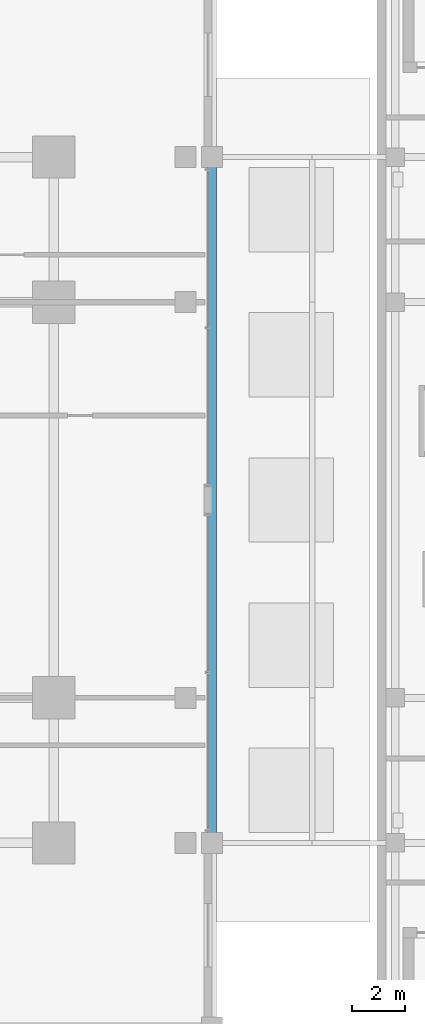
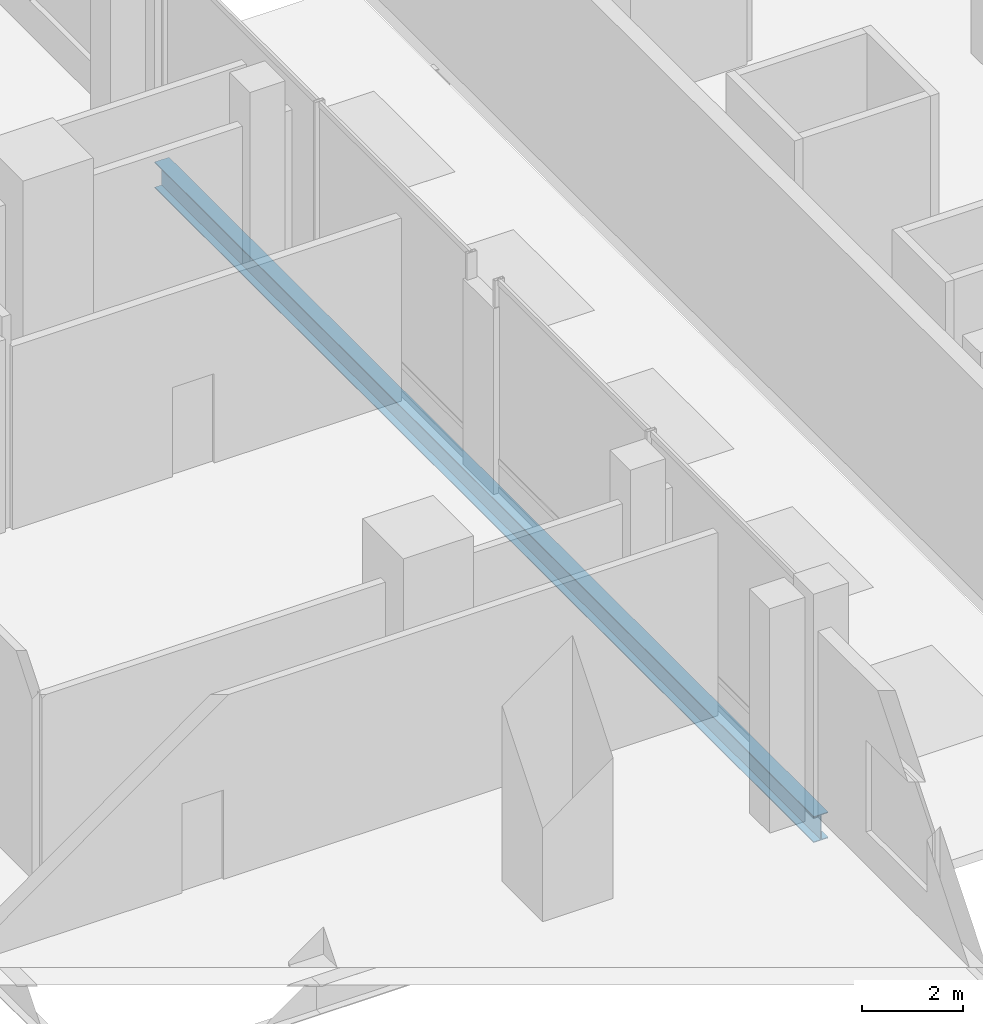
# One storey, part 12 of 36: 1 beam.
"""IFC4 building model written with IfcOpenShell, lengths in metres."""

from ifc_helpers import new_model, si_unit, direction, frame, origin, origin_2d, place, context, subcontext, project, spatial, i_section, extrude, material, material_profile, profile_set, type_object, element, save


model = new_model("IFC4")

# Units and contexts
model_context = context("Model", 3, precision=1e-05, world=origin(), true_north=direction((0.0, 1.0)))
body_context = subcontext(model_context, "Body", "Model", "MODEL_VIEW")
ifc_project = project(units=[si_unit("LENGTHUNIT", "METRE"), si_unit("AREAUNIT", "SQUARE_METRE"), si_unit("VOLUMEUNIT", "CUBIC_METRE"), si_unit("PLANEANGLEUNIT", "RADIAN"), si_unit("MASSUNIT", "GRAM", prefix="KILO")], contexts=[model_context])

# Site, building, storey
site_placement = place(None, origin())
site = spatial("IfcSite", under=ifc_project, at=site_placement, CompositionType="ELEMENT")
building_placement = place(site_placement, origin())
building = spatial("IfcBuilding", under=site, at=building_placement, Name="Barlavira Tower and Art Museum", CompositionType="ELEMENT")
storey_placement = place(building_placement, frame((0.0, 0.0, 11.39990234375)))
storey = spatial("IfcBuildingStorey", under=building, at=storey_placement, Name="L02", CompositionType="ELEMENT", Elevation=11.39990234375)

# Beam
ifc_material = material(Name="Steel S355", Category="steel")
ifc_material_profile = material_profile(ifc_material, i_section(OverallWidth=0.327880859375, OverallDepth=0.62890625, WebThickness=0.013916015625, FlangeThickness=0.021484375, at=origin_2d()), Name="W610x174.0")
ifc_profile_set = profile_set([ifc_material_profile], Name="Steel S355")
beam_type = type_object("IfcBeamType", Name="Perimeter Spandrel Edge Beam W610x174 Steel S355", PredefinedType="SPANDREL", material=ifc_profile_set)
beam_placement = place(storey_placement, frame((23.0, -13.0, -0.594482421875), z_axis=(0.0, 1.0, 0.0), x_axis=(-1.0, 0.0, 0.0)))
element("IfcBeam", 1, at=beam_placement, inside=storey, type_object=beam_type, Name="L02 Podium Spandrel PE2", PredefinedType="SPANDREL", context=body_context, shape_type="SweptSolid", body=[
    extrude(i_section(OverallWidth=0.327880859375, OverallDepth=0.62890625, WebThickness=0.013916015625, FlangeThickness=0.021484375, at=origin_2d()), origin(), (0.0, 0.0, 1.0), 26.0),
])

save(model, "model.ifc")
